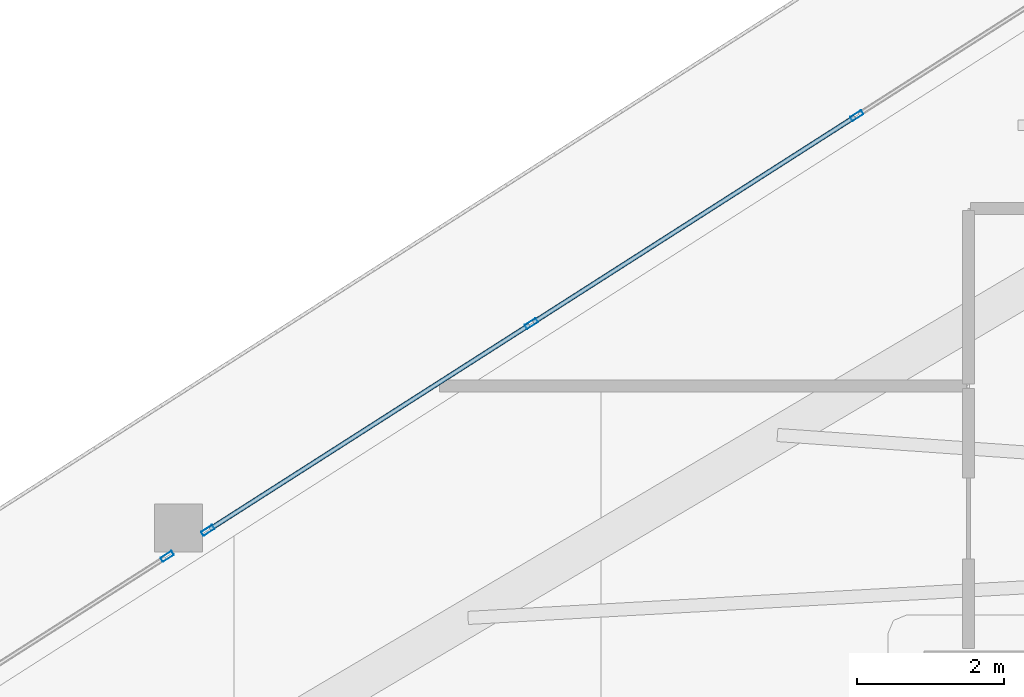
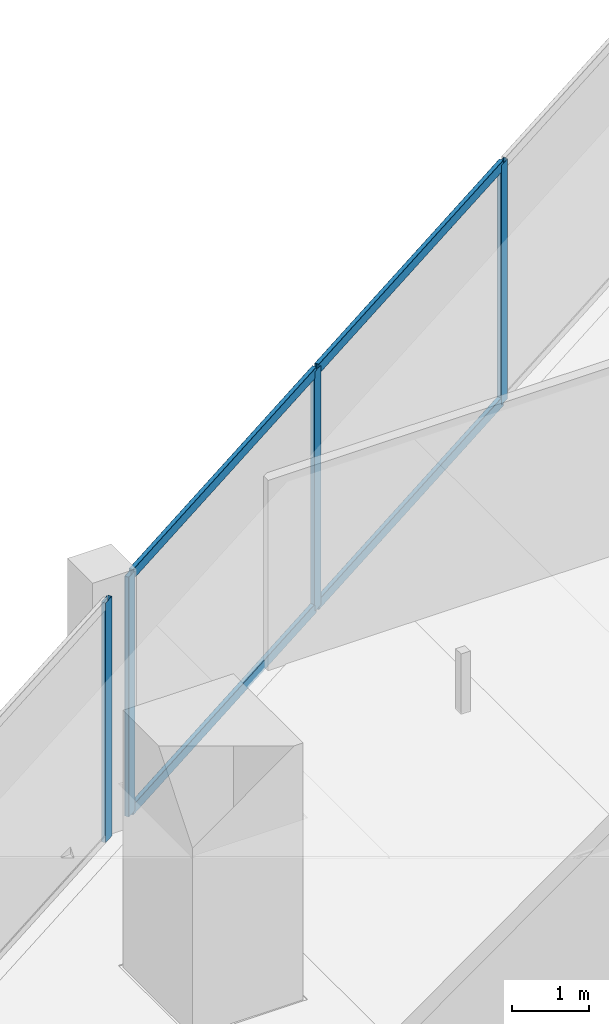
# One storey, part 15 of 33: 8 members, 2 elements without a shape of their own.
"""IFC4 building model written with IfcOpenShell, lengths in metres."""

from ifc_helpers import new_model, si_unit, direction, frame, origin, origin_2d, place, context, subcontext, project, spatial, hollow_rectangle, extrude, material, layer, layer_set, material_profile, profile_set, type_object, element, aggregate, save


model = new_model("IFC4")

# Units and contexts
model_context = context("Model", 3, precision=1e-05, world=origin(), true_north=direction((0.0, 1.0)))
body_context = subcontext(model_context, "Body", "Model", "MODEL_VIEW")
ifc_project = project(units=[si_unit("LENGTHUNIT", "METRE"), si_unit("AREAUNIT", "SQUARE_METRE"), si_unit("VOLUMEUNIT", "CUBIC_METRE"), si_unit("PLANEANGLEUNIT", "RADIAN"), si_unit("MASSUNIT", "GRAM", prefix="KILO")], contexts=[model_context])

# Site, building, storey
site_placement = place(None, origin())
site = spatial("IfcSite", under=ifc_project, at=site_placement, CompositionType="ELEMENT")
building_placement = place(site_placement, origin())
building = spatial("IfcBuilding", under=site, at=building_placement, Name="Qorvath Tower", CompositionType="ELEMENT")
storey_placement = place(building_placement, frame((0.0, 0.0, 221.25)))
storey = spatial("IfcBuildingStorey", under=building, at=storey_placement, Name="L51", CompositionType="ELEMENT", Elevation=221.25)

# Curtain wall, members
ifc_material_1 = material(Name="Anodised aluminium and triple low-E glass", Category="aluminium")
ifc_layer = layer(ifc_material_1, 0.179931640625)
ifc_layer_set = layer_set([ifc_layer], Name="CW-SYS-3")
curtain_wall_type = type_object("IfcCurtainWallType", Name="CW-SYS-3", PredefinedType="NOTDEFINED", material=ifc_layer_set)
curtain_wall_1_placement = place(storey_placement, origin())
curtain_wall_1 = element("IfcCurtainWall", 1, at=curtain_wall_1_placement, inside=storey, type_object=curtain_wall_type, Name="Curtain Wall CW-3 CW-T-L51-16.1", PredefinedType="NOTDEFINED")
ifc_material_2 = material(Name="Anodised aluminium 6063-T6", Category="aluminium")
ifc_material_profile_1 = material_profile(ifc_material_2, hollow_rectangle(XDim=0.06494140625, YDim=0.179931640625, WallThickness=0.00341796875, InnerFilletRadius=0.00341796875, OuterFilletRadius=0.007080078125, at=origin_2d()), Name="CWM 180x65")
ifc_profile_set_1 = profile_set([ifc_material_profile_1], Name="Anodised aluminium 6063-T6")
member_type_1 = type_object("IfcMemberType", Name="CWM-180", PredefinedType="MULLION", material=ifc_profile_set_1)
member_1_placement = place(storey_placement, frame((-39.374267578125, 12.018798828125, 0.0), z_axis=(0.0, 0.0, 1.0), x_axis=(0.538534785809, -0.842603278224, 0.0)))
member_1 = element("IfcMember", 2, at=member_1_placement, type_object=member_type_1, Name="CW-3 mullion 6", PredefinedType="MULLION", context=body_context, shape_type="SweptSolid", body=[
    extrude(hollow_rectangle(XDim=0.06494140625, YDim=0.179931640625, WallThickness=0.00341796875, InnerFilletRadius=0.00341796875, OuterFilletRadius=0.007080078125, at=origin_2d()), origin(), (0.0, 0.0, 1.0), 3.780029296875),
])
member_2_placement = place(storey_placement, frame((-43.791259765625, 9.19580078125, 0.0), z_axis=(0.0, 0.0, 1.0), x_axis=(0.538534785809, -0.842603278224, 0.0)))
member_2 = element("IfcMember", 3, at=member_2_placement, type_object=member_type_1, Name="CW-3 mullion 7", PredefinedType="MULLION", context=body_context, shape_type="SweptSolid", body=[
    extrude(hollow_rectangle(XDim=0.06494140625, YDim=0.179931640625, WallThickness=0.00341796875, InnerFilletRadius=0.00341796875, OuterFilletRadius=0.007080078125, at=origin_2d()), origin(), (0.0, 0.0, 1.0), 3.780029296875),
])
member_3_placement = place(storey_placement, frame((-48.18115234375, 6.39013671875, 0.0), z_axis=(0.0, 0.0, 1.0), x_axis=(0.538534785809, -0.842603278224, 0.0)))
member_3 = element("IfcMember", 4, at=member_3_placement, type_object=member_type_1, Name="CW-3 mullion 8", PredefinedType="MULLION", context=body_context, shape_type="SweptSolid", body=[
    extrude(hollow_rectangle(XDim=0.06494140625, YDim=0.179931640625, WallThickness=0.00341796875, InnerFilletRadius=0.00341796875, OuterFilletRadius=0.007080078125, at=origin_2d()), origin(), (0.0, 0.0, 1.0), 3.780029296875),
])

# Curtain wall, member
curtain_wall_2_placement = place(storey_placement, origin())
curtain_wall_2 = element("IfcCurtainWall", 5, at=curtain_wall_2_placement, inside=storey, type_object=curtain_wall_type, Name="Curtain Wall CW-3 CW-T-L51-16.2", PredefinedType="NOTDEFINED")
member_4_placement = place(storey_placement, frame((-48.7333984375, 6.037109375, 0.0), z_axis=(0.0, 0.0, 1.0), x_axis=(0.53855312183, -0.842591558804, 0.0)))
member_4 = element("IfcMember", 6, at=member_4_placement, type_object=member_type_1, Name="CW-3 mullion 1", PredefinedType="MULLION", context=body_context, shape_type="SweptSolid", body=[
    extrude(hollow_rectangle(XDim=0.06494140625, YDim=0.179931640625, WallThickness=0.00341796875, InnerFilletRadius=0.00341796875, OuterFilletRadius=0.007080078125, at=origin_2d()), origin(), (0.0, 0.0, 1.0), 3.780029296875),
])
aggregate(curtain_wall_2, [member_4])

# Member
ifc_material_3 = material(Name="Anodised aluminium 6063-T6", Category="aluminium")
ifc_material_profile_2 = material_profile(ifc_material_3, hollow_rectangle(XDim=0.06494140625, YDim=0.159912109375, WallThickness=0.00341796875, InnerFilletRadius=0.00341796875, OuterFilletRadius=0.007080078125, at=origin_2d()), Name="CWT 160x65")
ifc_profile_set_2 = profile_set([ifc_material_profile_2], Name="Anodised aluminium 6063-T6")
member_type_2 = type_object("IfcMemberType", Name="CWT-160", PredefinedType="USERDEFINED", material=ifc_profile_set_2)
member_5_placement = place(storey_placement, frame((-39.401611328125, 12.00146484375, 0.032470703125), z_axis=(-0.842582136458, -0.538567863246, 0.0), x_axis=(0.538567863246, -0.842582136458, 0.0)))
member_5 = element("IfcMember", 7, at=member_5_placement, type_object=member_type_2, Name="CW-3 transom 6.1", ObjectType="TRANSOM", PredefinedType="USERDEFINED", context=body_context, shape_type="SweptSolid", body=[
    extrude(hollow_rectangle(XDim=0.06494140625, YDim=0.159912109375, WallThickness=0.00341796875, InnerFilletRadius=0.00341796875, OuterFilletRadius=0.007080078125, at=origin_2d()), origin(), (0.0, 0.0, 1.0), 5.17724609375),
])

member_6_placement = place(storey_placement, frame((-39.401611328125, 12.00146484375, 3.74755859375), z_axis=(-0.842582136458, -0.538567863246, 0.0), x_axis=(0.538567863246, -0.842582136458, 0.0)))
member_6 = element("IfcMember", 8, at=member_6_placement, type_object=member_type_2, Name="CW-3 transom 6.2", ObjectType="TRANSOM", PredefinedType="USERDEFINED", context=body_context, shape_type="SweptSolid", body=[
    extrude(hollow_rectangle(XDim=0.06494140625, YDim=0.159912109375, WallThickness=0.00341796875, InnerFilletRadius=0.00341796875, OuterFilletRadius=0.007080078125, at=origin_2d()), origin(), (0.0, 0.0, 1.0), 5.17724609375),
])

member_7_placement = place(storey_placement, frame((-43.81884765625, 9.17822265625, 0.032470703125), z_axis=(-0.842612520647, -0.538520324639, 0.0), x_axis=(0.538520324639, -0.842612520647, 0.0)))
member_7 = element("IfcMember", 9, at=member_7_placement, type_object=member_type_2, Name="CW-3 transom 7.1", ObjectType="TRANSOM", PredefinedType="USERDEFINED", context=body_context, shape_type="SweptSolid", body=[
    extrude(hollow_rectangle(XDim=0.06494140625, YDim=0.159912109375, WallThickness=0.00341796875, InnerFilletRadius=0.00341796875, OuterFilletRadius=0.007080078125, at=origin_2d()), origin(), (0.0, 0.0, 1.0), 5.144775390625),
])

member_8_placement = place(storey_placement, frame((-43.81884765625, 9.17822265625, 3.74755859375), z_axis=(-0.842612520647, -0.538520324639, 0.0), x_axis=(0.538520324639, -0.842612520647, 0.0)))
member_8 = element("IfcMember", 10, at=member_8_placement, type_object=member_type_2, Name="CW-3 transom 7.2", ObjectType="TRANSOM", PredefinedType="USERDEFINED", context=body_context, shape_type="SweptSolid", body=[
    extrude(hollow_rectangle(XDim=0.06494140625, YDim=0.159912109375, WallThickness=0.00341796875, InnerFilletRadius=0.00341796875, OuterFilletRadius=0.007080078125, at=origin_2d()), origin(), (0.0, 0.0, 1.0), 5.144775390625),
])

aggregate(curtain_wall_1, [member_1, member_2, member_3, member_5, member_6, member_7, member_8])

save(model, "model.ifc")
